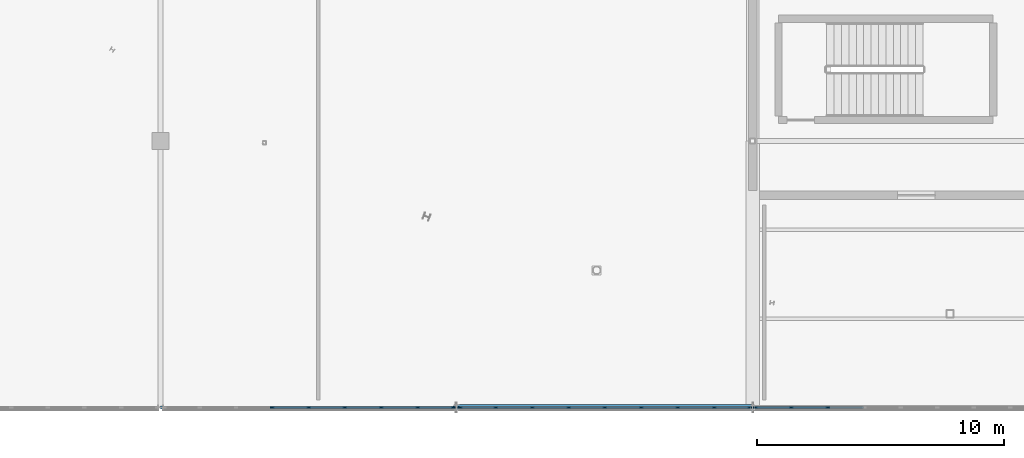
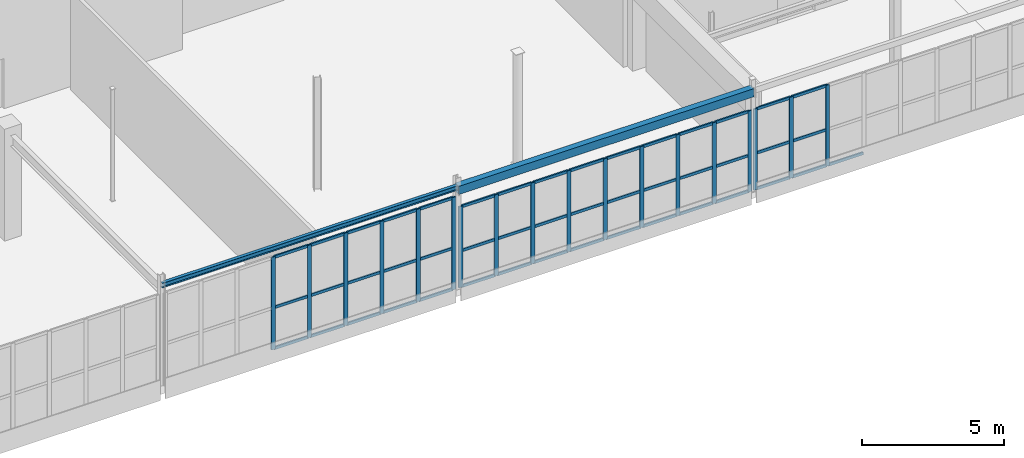
# One storey, part 77 of 226: 64 members, 2 beams, 3 elements without a shape of their own.
"""IFC4 building model written with IfcOpenShell, lengths in metres."""

from ifc_helpers import new_model, si_unit, direction, frame, origin, origin_2d, place, context, subcontext, project, spatial, rectangle, hollow_rectangle, i_section, extrude, material, layer, layer_set, material_profile, profile_set, type_object, element, aggregate, save


model = new_model("IFC4")

# Units and contexts
model_context = context("Model", 3, precision=1e-05, world=origin(), true_north=direction((0.0, 1.0)))
body_context = subcontext(model_context, "Body", "Model", "MODEL_VIEW")
ifc_project = project(units=[si_unit("LENGTHUNIT", "METRE"), si_unit("AREAUNIT", "SQUARE_METRE"), si_unit("VOLUMEUNIT", "CUBIC_METRE"), si_unit("PLANEANGLEUNIT", "RADIAN"), si_unit("MASSUNIT", "GRAM", prefix="KILO")], contexts=[model_context])

# Site, building, storey
site_placement = place(None, origin())
site = spatial("IfcSite", under=ifc_project, at=site_placement, CompositionType="ELEMENT")
building_placement = place(site_placement, origin())
building = spatial("IfcBuilding", under=site, at=building_placement, Name="Tarnwether General Hospital", CompositionType="ELEMENT")
storey_placement = place(building_placement, frame((0.0, 0.0, 4.800048828125)))
storey = spatial("IfcBuildingStorey", under=building, at=storey_placement, Name="L01", CompositionType="ELEMENT", Elevation=4.800048828125)

# Beams
ifc_material_1 = material(Name="Steel Grade 350 (350 MPa)", Category="steel")
ifc_material_profile_1 = material_profile(ifc_material_1, i_section(OverallWidth=0.133056640625, OverallDepth=0.201904296875, WebThickness=0.0048828125, FlangeThickness=0.007080078125, at=origin_2d()), Name="200UB22.3")
ifc_profile_set_1 = profile_set([ifc_material_profile_1], Name="Steel Grade 350 (350 MPa)")
beam_type_1 = type_object("IfcBeamType", Name="BM-SP6", PredefinedType="SPANDREL", material=ifc_profile_set_1)
beam_1_placement = place(storey_placement, frame((60.0, 0.0, 4.343994140625), z_axis=(1.0, 0.0, 0.0), x_axis=(0.0, 1.0, 0.0)))
element("IfcBeam", 1, at=beam_1_placement, inside=storey, type_object=beam_type_1, Name="Primary Girder BMG-L01-6000_0-7200_0-1118", PredefinedType="SPANDREL", context=body_context, shape_type="SweptSolid", body=[
    extrude(i_section(OverallWidth=0.133056640625, OverallDepth=0.201904296875, WebThickness=0.0048828125, FlangeThickness=0.007080078125, at=origin_2d()), origin(), (0.0, 0.0, 1.0), 12.0),
])
ifc_material_2 = material(Name="Steel Grade C350L0 (350 MPa)", Category="steel")
ifc_material_profile_2 = material_profile(ifc_material_2, hollow_rectangle(XDim=0.25, YDim=0.35009765625, WallThickness=0.012451171875, at=origin_2d()), Name="RHS350x250x12.5")
ifc_profile_set_2 = profile_set([ifc_material_profile_2], Name="Steel Grade C350L0 (350 MPa)")
beam_type_2 = type_object("IfcBeamType", Name="BM-SP7", PredefinedType="SPANDREL", material=ifc_profile_set_2)
beam_2_placement = place(storey_placement, frame((72.0, 0.0, 4.27001953125), z_axis=(1.0, 0.0, 0.0), x_axis=(0.0, 1.0, 0.0)))
element("IfcBeam", 2, at=beam_2_placement, inside=storey, type_object=beam_type_2, Name="Primary Girder BMG-L01-7200_0-8400_0-1135", PredefinedType="SPANDREL", context=body_context, shape_type="SweptSolid", body=[
    extrude(hollow_rectangle(XDim=0.25, YDim=0.35009765625, WallThickness=0.012451171875, at=origin_2d()), origin(), (0.0, 0.0, 1.0), 12.0),
])

# Curtain wall, members
ifc_material_3 = material(Name="Anodised aluminium", Category="aluminium")
ifc_layer = layer(ifc_material_3, 0.159912109375)
ifc_layer_set = layer_set([ifc_layer], Name="Anodised aluminium")
curtain_wall_type = type_object("IfcCurtainWallType", Name="CW-13", PredefinedType="NOTDEFINED", material=ifc_layer_set)
curtain_wall_1_placement = place(storey_placement, origin())
curtain_wall_1 = element("IfcCurtainWall", 3, at=curtain_wall_1_placement, inside=storey, type_object=curtain_wall_type, Name="Curtain Wall CWG-L01-959_0-0332", PredefinedType="NOTDEFINED")
ifc_material_4 = material(Name="Anodised aluminium", Category="aluminium")
ifc_material_profile_3 = material_profile(ifc_material_4, rectangle(XDim=0.06005859375, YDim=0.159912109375, at=origin_2d()), Name="ALU-MUL-60x160")
ifc_profile_set_3 = profile_set([ifc_material_profile_3], Name="Anodised aluminium")
member_type_1 = type_object("IfcMemberType", Name="CW-ML1", PredefinedType="MULLION", material=ifc_profile_set_3)
member_1_placement = place(storey_placement, frame((87.04150390625, 0.0, 0.0), z_axis=(0.0, 0.0, 1.0), x_axis=(0.0, -1.0, 0.0)))
member_1 = element("IfcMember", 4, at=member_1_placement, type_object=member_type_1, Name="CW-13 mullion 7", PredefinedType="MULLION", context=body_context, shape_type="SweptSolid", body=[
    extrude(rectangle(XDim=0.06005859375, YDim=0.159912109375, at=origin_2d()), origin(), (0.0, 0.0, 1.0), 3.47998046875),
])
member_2_placement = place(storey_placement, frame((85.562255859375, 0.0, 0.0), z_axis=(0.0, 0.0, 1.0), x_axis=(0.0, -1.0, 0.0)))
member_2 = element("IfcMember", 5, at=member_2_placement, type_object=member_type_1, Name="CW-13 mullion 8", PredefinedType="MULLION", context=body_context, shape_type="SweptSolid", body=[
    extrude(rectangle(XDim=0.06005859375, YDim=0.159912109375, at=origin_2d()), origin(), (0.0, 0.0, 1.0), 3.47998046875),
])
member_3_placement = place(storey_placement, frame((84.113037109375, 0.0, 0.0), z_axis=(0.0, 0.0, 1.0), x_axis=(0.0, -1.0, 0.0)))
member_3 = element("IfcMember", 6, at=member_3_placement, type_object=member_type_1, Name="CW-13 mullion 9", PredefinedType="MULLION", context=body_context, shape_type="SweptSolid", body=[
    extrude(rectangle(XDim=0.06005859375, YDim=0.159912109375, at=origin_2d()), origin(), (0.0, 0.0, 1.0), 3.47998046875),
])

curtain_wall_2_placement = place(storey_placement, origin())
curtain_wall_2 = element("IfcCurtainWall", 7, at=curtain_wall_2_placement, inside=storey, type_object=curtain_wall_type, Name="Curtain Wall CWG-L01-839_0-0333", PredefinedType="NOTDEFINED")
member_4_placement = place(storey_placement, frame((83.886962890625, 0.0, 0.0), z_axis=(0.0, 0.0, 1.0), x_axis=(0.0, -1.0, 0.0)))
member_4 = element("IfcMember", 8, at=member_4_placement, type_object=member_type_1, Name="CW-13 mullion 1", PredefinedType="MULLION", context=body_context, shape_type="SweptSolid", body=[
    extrude(rectangle(XDim=0.06005859375, YDim=0.159912109375, at=origin_2d()), origin(), (0.0, 0.0, 1.0), 3.47998046875),
])
member_5_placement = place(storey_placement, frame((82.441162109375, 0.0, 0.0), z_axis=(0.0, 0.0, 1.0), x_axis=(0.0, -1.0, 0.0)))
member_5 = element("IfcMember", 9, at=member_5_placement, type_object=member_type_1, Name="CW-13 mullion 2", PredefinedType="MULLION", context=body_context, shape_type="SweptSolid", body=[
    extrude(rectangle(XDim=0.06005859375, YDim=0.159912109375, at=origin_2d()), origin(), (0.0, 0.0, 1.0), 3.47998046875),
])
member_6_placement = place(storey_placement, frame((80.965576171875, 0.0, 0.0), z_axis=(0.0, 0.0, 1.0), x_axis=(0.0, -1.0, 0.0)))
member_6 = element("IfcMember", 10, at=member_6_placement, type_object=member_type_1, Name="CW-13 mullion 3", PredefinedType="MULLION", context=body_context, shape_type="SweptSolid", body=[
    extrude(rectangle(XDim=0.06005859375, YDim=0.159912109375, at=origin_2d()), origin(), (0.0, 0.0, 1.0), 3.47998046875),
])
member_7_placement = place(storey_placement, frame((79.48974609375, 0.0, 0.0), z_axis=(0.0, 0.0, 1.0), x_axis=(0.0, -1.0, 0.0)))
member_7 = element("IfcMember", 11, at=member_7_placement, type_object=member_type_1, Name="CW-13 mullion 4", PredefinedType="MULLION", context=body_context, shape_type="SweptSolid", body=[
    extrude(rectangle(XDim=0.06005859375, YDim=0.159912109375, at=origin_2d()), origin(), (0.0, 0.0, 1.0), 3.47998046875),
])
member_8_placement = place(storey_placement, frame((78.013916015625, 0.0, 0.0), z_axis=(0.0, 0.0, 1.0), x_axis=(0.0, -1.0, 0.0)))
member_8 = element("IfcMember", 12, at=member_8_placement, type_object=member_type_1, Name="CW-13 mullion 5", PredefinedType="MULLION", context=body_context, shape_type="SweptSolid", body=[
    extrude(rectangle(XDim=0.06005859375, YDim=0.159912109375, at=origin_2d()), origin(), (0.0, 0.0, 1.0), 3.47998046875),
])
member_9_placement = place(storey_placement, frame((76.538330078125, 0.0, 0.0), z_axis=(0.0, 0.0, 1.0), x_axis=(0.0, -1.0, 0.0)))
member_9 = element("IfcMember", 13, at=member_9_placement, type_object=member_type_1, Name="CW-13 mullion 6", PredefinedType="MULLION", context=body_context, shape_type="SweptSolid", body=[
    extrude(rectangle(XDim=0.06005859375, YDim=0.159912109375, at=origin_2d()), origin(), (0.0, 0.0, 1.0), 3.47998046875),
])
member_10_placement = place(storey_placement, frame((75.0625, 0.0, 0.0), z_axis=(0.0, 0.0, 1.0), x_axis=(0.0, -1.0, 0.0)))
member_10 = element("IfcMember", 14, at=member_10_placement, type_object=member_type_1, Name="CW-13 mullion 7", PredefinedType="MULLION", context=body_context, shape_type="SweptSolid", body=[
    extrude(rectangle(XDim=0.06005859375, YDim=0.159912109375, at=origin_2d()), origin(), (0.0, 0.0, 1.0), 3.47998046875),
])
member_11_placement = place(storey_placement, frame((73.586669921875, 0.0, 0.0), z_axis=(0.0, 0.0, 1.0), x_axis=(0.0, -1.0, 0.0)))
member_11 = element("IfcMember", 15, at=member_11_placement, type_object=member_type_1, Name="CW-13 mullion 8", PredefinedType="MULLION", context=body_context, shape_type="SweptSolid", body=[
    extrude(rectangle(XDim=0.06005859375, YDim=0.159912109375, at=origin_2d()), origin(), (0.0, 0.0, 1.0), 3.47998046875),
])
member_12_placement = place(storey_placement, frame((72.14111328125, 0.0, 0.0), z_axis=(0.0, 0.0, 1.0), x_axis=(0.0, -1.0, 0.0)))
member_12 = element("IfcMember", 16, at=member_12_placement, type_object=member_type_1, Name="CW-13 mullion 9", PredefinedType="MULLION", context=body_context, shape_type="SweptSolid", body=[
    extrude(rectangle(XDim=0.06005859375, YDim=0.159912109375, at=origin_2d()), origin(), (0.0, 0.0, 1.0), 3.47998046875),
])

curtain_wall_3_placement = place(storey_placement, origin())
curtain_wall_3 = element("IfcCurtainWall", 17, at=curtain_wall_3_placement, inside=storey, type_object=curtain_wall_type, Name="Curtain Wall CWG-L01-719_0-0334", PredefinedType="NOTDEFINED")
member_13_placement = place(storey_placement, frame((71.85888671875, 0.0, 0.0), z_axis=(0.0, 0.0, 1.0), x_axis=(0.0, -1.0, 0.0)))
member_13 = element("IfcMember", 18, at=member_13_placement, type_object=member_type_1, Name="CW-13 mullion 1", PredefinedType="MULLION", context=body_context, shape_type="SweptSolid", body=[
    extrude(rectangle(XDim=0.06005859375, YDim=0.159912109375, at=origin_2d()), origin(), (0.0, 0.0, 1.0), 3.972900390625),
])
member_14_placement = place(storey_placement, frame((70.4169921875, 0.0, 0.0), z_axis=(0.0, 0.0, 1.0), x_axis=(0.0, -1.0, 0.0)))
member_14 = element("IfcMember", 19, at=member_14_placement, type_object=member_type_1, Name="CW-13 mullion 2", PredefinedType="MULLION", context=body_context, shape_type="SweptSolid", body=[
    extrude(rectangle(XDim=0.06005859375, YDim=0.159912109375, at=origin_2d()), origin(), (0.0, 0.0, 1.0), 3.972900390625),
])
member_15_placement = place(storey_placement, frame((68.945068359375, 0.0, 0.0), z_axis=(0.0, 0.0, 1.0), x_axis=(0.0, -1.0, 0.0)))
member_15 = element("IfcMember", 20, at=member_15_placement, type_object=member_type_1, Name="CW-13 mullion 3", PredefinedType="MULLION", context=body_context, shape_type="SweptSolid", body=[
    extrude(rectangle(XDim=0.06005859375, YDim=0.159912109375, at=origin_2d()), origin(), (0.0, 0.0, 1.0), 3.972900390625),
])
member_16_placement = place(storey_placement, frame((67.472900390625, 0.0, 0.0), z_axis=(0.0, 0.0, 1.0), x_axis=(0.0, -1.0, 0.0)))
member_16 = element("IfcMember", 21, at=member_16_placement, type_object=member_type_1, Name="CW-13 mullion 4", PredefinedType="MULLION", context=body_context, shape_type="SweptSolid", body=[
    extrude(rectangle(XDim=0.06005859375, YDim=0.159912109375, at=origin_2d()), origin(), (0.0, 0.0, 1.0), 3.972900390625),
])
member_17_placement = place(storey_placement, frame((66.0009765625, 0.0, 0.0), z_axis=(0.0, 0.0, 1.0), x_axis=(0.0, -1.0, 0.0)))
member_17 = element("IfcMember", 22, at=member_17_placement, type_object=member_type_1, Name="CW-13 mullion 5", PredefinedType="MULLION", context=body_context, shape_type="SweptSolid", body=[
    extrude(rectangle(XDim=0.06005859375, YDim=0.159912109375, at=origin_2d()), origin(), (0.0, 0.0, 1.0), 3.972900390625),
])
member_18_placement = place(storey_placement, frame((64.529052734375, 0.0, 0.0), z_axis=(0.0, 0.0, 1.0), x_axis=(0.0, -1.0, 0.0)))
member_18 = element("IfcMember", 23, at=member_18_placement, type_object=member_type_1, Name="CW-13 mullion 6", PredefinedType="MULLION", context=body_context, shape_type="SweptSolid", body=[
    extrude(rectangle(XDim=0.06005859375, YDim=0.159912109375, at=origin_2d()), origin(), (0.0, 0.0, 1.0), 3.972900390625),
])

# Member
ifc_material_5 = material(Name="Anodised aluminium", Category="aluminium")
ifc_material_profile_4 = material_profile(ifc_material_5, rectangle(XDim=0.06005859375, YDim=0.1201171875, at=origin_2d()), Name="ALU-TRN-60x120")
ifc_profile_set_4 = profile_set([ifc_material_profile_4], Name="Anodised aluminium")
member_type_2 = type_object("IfcMemberType", Name="CW-TR1", PredefinedType="USERDEFINED", material=ifc_profile_set_4)
member_19_placement = place(storey_placement, frame((88.49072265625, 0.0, 0.030029296875), z_axis=(-1.0, 0.0, 0.0), x_axis=(0.0, -1.0, 0.0)))
member_19 = element("IfcMember", 24, at=member_19_placement, type_object=member_type_2, Name="CW-13 transom 6.1", ObjectType="TRANSOM", PredefinedType="USERDEFINED", context=body_context, shape_type="SweptSolid", body=[
    extrude(rectangle(XDim=0.06005859375, YDim=0.1201171875, at=origin_2d()), origin(), (0.0, 0.0, 1.0), 1.419189453125),
])

member_20_placement = place(storey_placement, frame((87.011474609375, 0.0, 0.030029296875), z_axis=(-1.0, 0.0, 0.0), x_axis=(0.0, -1.0, 0.0)))
member_20 = element("IfcMember", 25, at=member_20_placement, type_object=member_type_2, Name="CW-13 transom 7.1", ObjectType="TRANSOM", PredefinedType="USERDEFINED", context=body_context, shape_type="SweptSolid", body=[
    extrude(rectangle(XDim=0.06005859375, YDim=0.1201171875, at=origin_2d()), origin(), (0.0, 0.0, 1.0), 1.419189453125),
])

member_21_placement = place(storey_placement, frame((87.011474609375, 0.0, 1.56591796875), z_axis=(-1.0, 0.0, 0.0), x_axis=(0.0, -1.0, 0.0)))
member_21 = element("IfcMember", 26, at=member_21_placement, type_object=member_type_2, Name="CW-13 transom 7.2", ObjectType="TRANSOM", PredefinedType="USERDEFINED", context=body_context, shape_type="SweptSolid", body=[
    extrude(rectangle(XDim=0.06005859375, YDim=0.1201171875, at=origin_2d()), origin(), (0.0, 0.0, 1.0), 1.419189453125),
])

member_22_placement = place(storey_placement, frame((87.011474609375, 0.0, 3.449951171875), z_axis=(-1.0, 0.0, 0.0), x_axis=(0.0, -1.0, 0.0)))
member_22 = element("IfcMember", 27, at=member_22_placement, type_object=member_type_2, Name="CW-13 transom 7.3", ObjectType="TRANSOM", PredefinedType="USERDEFINED", context=body_context, shape_type="SweptSolid", body=[
    extrude(rectangle(XDim=0.06005859375, YDim=0.1201171875, at=origin_2d()), origin(), (0.0, 0.0, 1.0), 1.419189453125),
])

member_23_placement = place(storey_placement, frame((85.5322265625, 0.0, 0.030029296875), z_axis=(-1.0, 0.0, 0.0), x_axis=(0.0, -1.0, 0.0)))
member_23 = element("IfcMember", 28, at=member_23_placement, type_object=member_type_2, Name="CW-13 transom 8.1", ObjectType="TRANSOM", PredefinedType="USERDEFINED", context=body_context, shape_type="SweptSolid", body=[
    extrude(rectangle(XDim=0.06005859375, YDim=0.1201171875, at=origin_2d()), origin(), (0.0, 0.0, 1.0), 1.38916015625),
])

member_24_placement = place(storey_placement, frame((85.5322265625, 0.0, 1.56591796875), z_axis=(-1.0, 0.0, 0.0), x_axis=(0.0, -1.0, 0.0)))
member_24 = element("IfcMember", 29, at=member_24_placement, type_object=member_type_2, Name="CW-13 transom 8.2", ObjectType="TRANSOM", PredefinedType="USERDEFINED", context=body_context, shape_type="SweptSolid", body=[
    extrude(rectangle(XDim=0.06005859375, YDim=0.1201171875, at=origin_2d()), origin(), (0.0, 0.0, 1.0), 1.38916015625),
])

member_25_placement = place(storey_placement, frame((85.5322265625, 0.0, 3.449951171875), z_axis=(-1.0, 0.0, 0.0), x_axis=(0.0, -1.0, 0.0)))
member_25 = element("IfcMember", 30, at=member_25_placement, type_object=member_type_2, Name="CW-13 transom 8.3", ObjectType="TRANSOM", PredefinedType="USERDEFINED", context=body_context, shape_type="SweptSolid", body=[
    extrude(rectangle(XDim=0.06005859375, YDim=0.1201171875, at=origin_2d()), origin(), (0.0, 0.0, 1.0), 1.38916015625),
])

aggregate(curtain_wall_1, [member_1, member_2, member_3, member_19, member_20, member_21, member_22, member_23, member_24, member_25])

member_26_placement = place(storey_placement, frame((83.85693359375, 0.0, 0.030029296875), z_axis=(-1.0, 0.0, 0.0), x_axis=(0.0, -1.0, 0.0)))
member_26 = element("IfcMember", 31, at=member_26_placement, type_object=member_type_2, Name="CW-13 transom 1.1", ObjectType="TRANSOM", PredefinedType="USERDEFINED", context=body_context, shape_type="SweptSolid", body=[
    extrude(rectangle(XDim=0.06005859375, YDim=0.1201171875, at=origin_2d()), origin(), (0.0, 0.0, 1.0), 1.3857421875),
])

member_27_placement = place(storey_placement, frame((83.85693359375, 0.0, 1.56591796875), z_axis=(-1.0, 0.0, 0.0), x_axis=(0.0, -1.0, 0.0)))
member_27 = element("IfcMember", 32, at=member_27_placement, type_object=member_type_2, Name="CW-13 transom 1.2", ObjectType="TRANSOM", PredefinedType="USERDEFINED", context=body_context, shape_type="SweptSolid", body=[
    extrude(rectangle(XDim=0.06005859375, YDim=0.1201171875, at=origin_2d()), origin(), (0.0, 0.0, 1.0), 1.3857421875),
])

member_28_placement = place(storey_placement, frame((83.85693359375, 0.0, 3.449951171875), z_axis=(-1.0, 0.0, 0.0), x_axis=(0.0, -1.0, 0.0)))
member_28 = element("IfcMember", 33, at=member_28_placement, type_object=member_type_2, Name="CW-13 transom 1.3", ObjectType="TRANSOM", PredefinedType="USERDEFINED", context=body_context, shape_type="SweptSolid", body=[
    extrude(rectangle(XDim=0.06005859375, YDim=0.1201171875, at=origin_2d()), origin(), (0.0, 0.0, 1.0), 1.3857421875),
])

member_29_placement = place(storey_placement, frame((82.4111328125, 0.0, 0.030029296875), z_axis=(-1.0, 0.0, 0.0), x_axis=(0.0, -1.0, 0.0)))
member_29 = element("IfcMember", 34, at=member_29_placement, type_object=member_type_2, Name="CW-13 transom 2.1", ObjectType="TRANSOM", PredefinedType="USERDEFINED", context=body_context, shape_type="SweptSolid", body=[
    extrude(rectangle(XDim=0.06005859375, YDim=0.1201171875, at=origin_2d()), origin(), (0.0, 0.0, 1.0), 1.41552734375),
])

member_30_placement = place(storey_placement, frame((82.4111328125, 0.0, 1.56591796875), z_axis=(-1.0, 0.0, 0.0), x_axis=(0.0, -1.0, 0.0)))
member_30 = element("IfcMember", 35, at=member_30_placement, type_object=member_type_2, Name="CW-13 transom 2.2", ObjectType="TRANSOM", PredefinedType="USERDEFINED", context=body_context, shape_type="SweptSolid", body=[
    extrude(rectangle(XDim=0.06005859375, YDim=0.1201171875, at=origin_2d()), origin(), (0.0, 0.0, 1.0), 1.41552734375),
])

member_31_placement = place(storey_placement, frame((82.4111328125, 0.0, 3.449951171875), z_axis=(-1.0, 0.0, 0.0), x_axis=(0.0, -1.0, 0.0)))
member_31 = element("IfcMember", 36, at=member_31_placement, type_object=member_type_2, Name="CW-13 transom 2.3", ObjectType="TRANSOM", PredefinedType="USERDEFINED", context=body_context, shape_type="SweptSolid", body=[
    extrude(rectangle(XDim=0.06005859375, YDim=0.1201171875, at=origin_2d()), origin(), (0.0, 0.0, 1.0), 1.41552734375),
])

member_32_placement = place(storey_placement, frame((80.935546875, 0.0, 0.030029296875), z_axis=(-1.0, 0.0, 0.0), x_axis=(0.0, -1.0, 0.0)))
member_32 = element("IfcMember", 37, at=member_32_placement, type_object=member_type_2, Name="CW-13 transom 3.1", ObjectType="TRANSOM", PredefinedType="USERDEFINED", context=body_context, shape_type="SweptSolid", body=[
    extrude(rectangle(XDim=0.06005859375, YDim=0.1201171875, at=origin_2d()), origin(), (0.0, 0.0, 1.0), 1.415771484375),
])

member_33_placement = place(storey_placement, frame((80.935546875, 0.0, 1.56591796875), z_axis=(-1.0, 0.0, 0.0), x_axis=(0.0, -1.0, 0.0)))
member_33 = element("IfcMember", 38, at=member_33_placement, type_object=member_type_2, Name="CW-13 transom 3.2", ObjectType="TRANSOM", PredefinedType="USERDEFINED", context=body_context, shape_type="SweptSolid", body=[
    extrude(rectangle(XDim=0.06005859375, YDim=0.1201171875, at=origin_2d()), origin(), (0.0, 0.0, 1.0), 1.415771484375),
])

member_34_placement = place(storey_placement, frame((80.935546875, 0.0, 3.449951171875), z_axis=(-1.0, 0.0, 0.0), x_axis=(0.0, -1.0, 0.0)))
member_34 = element("IfcMember", 39, at=member_34_placement, type_object=member_type_2, Name="CW-13 transom 3.3", ObjectType="TRANSOM", PredefinedType="USERDEFINED", context=body_context, shape_type="SweptSolid", body=[
    extrude(rectangle(XDim=0.06005859375, YDim=0.1201171875, at=origin_2d()), origin(), (0.0, 0.0, 1.0), 1.415771484375),
])

member_35_placement = place(storey_placement, frame((79.459716796875, 0.0, 0.030029296875), z_axis=(-1.0, 0.0, 0.0), x_axis=(0.0, -1.0, 0.0)))
member_35 = element("IfcMember", 40, at=member_35_placement, type_object=member_type_2, Name="CW-13 transom 4.1", ObjectType="TRANSOM", PredefinedType="USERDEFINED", context=body_context, shape_type="SweptSolid", body=[
    extrude(rectangle(XDim=0.06005859375, YDim=0.1201171875, at=origin_2d()), origin(), (0.0, 0.0, 1.0), 1.415771484375),
])

member_36_placement = place(storey_placement, frame((79.459716796875, 0.0, 1.56591796875), z_axis=(-1.0, 0.0, 0.0), x_axis=(0.0, -1.0, 0.0)))
member_36 = element("IfcMember", 41, at=member_36_placement, type_object=member_type_2, Name="CW-13 transom 4.2", ObjectType="TRANSOM", PredefinedType="USERDEFINED", context=body_context, shape_type="SweptSolid", body=[
    extrude(rectangle(XDim=0.06005859375, YDim=0.1201171875, at=origin_2d()), origin(), (0.0, 0.0, 1.0), 1.415771484375),
])

member_37_placement = place(storey_placement, frame((79.459716796875, 0.0, 3.449951171875), z_axis=(-1.0, 0.0, 0.0), x_axis=(0.0, -1.0, 0.0)))
member_37 = element("IfcMember", 42, at=member_37_placement, type_object=member_type_2, Name="CW-13 transom 4.3", ObjectType="TRANSOM", PredefinedType="USERDEFINED", context=body_context, shape_type="SweptSolid", body=[
    extrude(rectangle(XDim=0.06005859375, YDim=0.1201171875, at=origin_2d()), origin(), (0.0, 0.0, 1.0), 1.415771484375),
])

member_38_placement = place(storey_placement, frame((77.98388671875, 0.0, 0.030029296875), z_axis=(-1.0, 0.0, 0.0), x_axis=(0.0, -1.0, 0.0)))
member_38 = element("IfcMember", 43, at=member_38_placement, type_object=member_type_2, Name="CW-13 transom 5.1", ObjectType="TRANSOM", PredefinedType="USERDEFINED", context=body_context, shape_type="SweptSolid", body=[
    extrude(rectangle(XDim=0.06005859375, YDim=0.1201171875, at=origin_2d()), origin(), (0.0, 0.0, 1.0), 1.41552734375),
])

member_39_placement = place(storey_placement, frame((77.98388671875, 0.0, 1.56591796875), z_axis=(-1.0, 0.0, 0.0), x_axis=(0.0, -1.0, 0.0)))
member_39 = element("IfcMember", 44, at=member_39_placement, type_object=member_type_2, Name="CW-13 transom 5.2", ObjectType="TRANSOM", PredefinedType="USERDEFINED", context=body_context, shape_type="SweptSolid", body=[
    extrude(rectangle(XDim=0.06005859375, YDim=0.1201171875, at=origin_2d()), origin(), (0.0, 0.0, 1.0), 1.41552734375),
])

member_40_placement = place(storey_placement, frame((77.98388671875, 0.0, 3.449951171875), z_axis=(-1.0, 0.0, 0.0), x_axis=(0.0, -1.0, 0.0)))
member_40 = element("IfcMember", 45, at=member_40_placement, type_object=member_type_2, Name="CW-13 transom 5.3", ObjectType="TRANSOM", PredefinedType="USERDEFINED", context=body_context, shape_type="SweptSolid", body=[
    extrude(rectangle(XDim=0.06005859375, YDim=0.1201171875, at=origin_2d()), origin(), (0.0, 0.0, 1.0), 1.41552734375),
])

member_41_placement = place(storey_placement, frame((76.50830078125, 0.0, 0.030029296875), z_axis=(-1.0, 0.0, 0.0), x_axis=(0.0, -1.0, 0.0)))
member_41 = element("IfcMember", 46, at=member_41_placement, type_object=member_type_2, Name="CW-13 transom 6.1", ObjectType="TRANSOM", PredefinedType="USERDEFINED", context=body_context, shape_type="SweptSolid", body=[
    extrude(rectangle(XDim=0.06005859375, YDim=0.1201171875, at=origin_2d()), origin(), (0.0, 0.0, 1.0), 1.415771484375),
])

member_42_placement = place(storey_placement, frame((76.50830078125, 0.0, 1.56591796875), z_axis=(-1.0, 0.0, 0.0), x_axis=(0.0, -1.0, 0.0)))
member_42 = element("IfcMember", 47, at=member_42_placement, type_object=member_type_2, Name="CW-13 transom 6.2", ObjectType="TRANSOM", PredefinedType="USERDEFINED", context=body_context, shape_type="SweptSolid", body=[
    extrude(rectangle(XDim=0.06005859375, YDim=0.1201171875, at=origin_2d()), origin(), (0.0, 0.0, 1.0), 1.415771484375),
])

member_43_placement = place(storey_placement, frame((76.50830078125, 0.0, 3.449951171875), z_axis=(-1.0, 0.0, 0.0), x_axis=(0.0, -1.0, 0.0)))
member_43 = element("IfcMember", 48, at=member_43_placement, type_object=member_type_2, Name="CW-13 transom 6.3", ObjectType="TRANSOM", PredefinedType="USERDEFINED", context=body_context, shape_type="SweptSolid", body=[
    extrude(rectangle(XDim=0.06005859375, YDim=0.1201171875, at=origin_2d()), origin(), (0.0, 0.0, 1.0), 1.415771484375),
])

member_44_placement = place(storey_placement, frame((75.032470703125, 0.0, 0.030029296875), z_axis=(-1.0, 0.0, 0.0), x_axis=(0.0, -1.0, 0.0)))
member_44 = element("IfcMember", 49, at=member_44_placement, type_object=member_type_2, Name="CW-13 transom 7.1", ObjectType="TRANSOM", PredefinedType="USERDEFINED", context=body_context, shape_type="SweptSolid", body=[
    extrude(rectangle(XDim=0.06005859375, YDim=0.1201171875, at=origin_2d()), origin(), (0.0, 0.0, 1.0), 1.415771484375),
])

member_45_placement = place(storey_placement, frame((75.032470703125, 0.0, 1.56591796875), z_axis=(-1.0, 0.0, 0.0), x_axis=(0.0, -1.0, 0.0)))
member_45 = element("IfcMember", 50, at=member_45_placement, type_object=member_type_2, Name="CW-13 transom 7.2", ObjectType="TRANSOM", PredefinedType="USERDEFINED", context=body_context, shape_type="SweptSolid", body=[
    extrude(rectangle(XDim=0.06005859375, YDim=0.1201171875, at=origin_2d()), origin(), (0.0, 0.0, 1.0), 1.415771484375),
])

member_46_placement = place(storey_placement, frame((75.032470703125, 0.0, 3.449951171875), z_axis=(-1.0, 0.0, 0.0), x_axis=(0.0, -1.0, 0.0)))
member_46 = element("IfcMember", 51, at=member_46_placement, type_object=member_type_2, Name="CW-13 transom 7.3", ObjectType="TRANSOM", PredefinedType="USERDEFINED", context=body_context, shape_type="SweptSolid", body=[
    extrude(rectangle(XDim=0.06005859375, YDim=0.1201171875, at=origin_2d()), origin(), (0.0, 0.0, 1.0), 1.415771484375),
])

member_47_placement = place(storey_placement, frame((73.556640625, 0.0, 0.030029296875), z_axis=(-1.0, 0.0, 0.0), x_axis=(0.0, -1.0, 0.0)))
member_47 = element("IfcMember", 52, at=member_47_placement, type_object=member_type_2, Name="CW-13 transom 8.1", ObjectType="TRANSOM", PredefinedType="USERDEFINED", context=body_context, shape_type="SweptSolid", body=[
    extrude(rectangle(XDim=0.06005859375, YDim=0.1201171875, at=origin_2d()), origin(), (0.0, 0.0, 1.0), 1.3857421875),
])

member_48_placement = place(storey_placement, frame((73.556640625, 0.0, 1.56591796875), z_axis=(-1.0, 0.0, 0.0), x_axis=(0.0, -1.0, 0.0)))
member_48 = element("IfcMember", 53, at=member_48_placement, type_object=member_type_2, Name="CW-13 transom 8.2", ObjectType="TRANSOM", PredefinedType="USERDEFINED", context=body_context, shape_type="SweptSolid", body=[
    extrude(rectangle(XDim=0.06005859375, YDim=0.1201171875, at=origin_2d()), origin(), (0.0, 0.0, 1.0), 1.3857421875),
])

member_49_placement = place(storey_placement, frame((73.556640625, 0.0, 3.449951171875), z_axis=(-1.0, 0.0, 0.0), x_axis=(0.0, -1.0, 0.0)))
member_49 = element("IfcMember", 54, at=member_49_placement, type_object=member_type_2, Name="CW-13 transom 8.3", ObjectType="TRANSOM", PredefinedType="USERDEFINED", context=body_context, shape_type="SweptSolid", body=[
    extrude(rectangle(XDim=0.06005859375, YDim=0.1201171875, at=origin_2d()), origin(), (0.0, 0.0, 1.0), 1.3857421875),
])

aggregate(curtain_wall_2, [member_4, member_5, member_6, member_7, member_8, member_9, member_10, member_11, member_12, member_26, member_27, member_28, member_29, member_30, member_31, member_32, member_33, member_34, member_35, member_36, member_37, member_38, member_39, member_40, member_41, member_42, member_43, member_44, member_45, member_46, member_47, member_48, member_49])

member_50_placement = place(storey_placement, frame((71.8291015625, 0.0, 0.030029296875), z_axis=(-1.0, 0.0, 0.0), x_axis=(0.0, -1.0, 0.0)))
member_50 = element("IfcMember", 55, at=member_50_placement, type_object=member_type_2, Name="CW-13 transom 1.1", ObjectType="TRANSOM", PredefinedType="USERDEFINED", context=body_context, shape_type="SweptSolid", body=[
    extrude(rectangle(XDim=0.06005859375, YDim=0.1201171875, at=origin_2d()), origin(), (0.0, 0.0, 1.0), 1.382080078125),
])

member_51_placement = place(storey_placement, frame((71.8291015625, 0.0, 1.787841796875), z_axis=(-1.0, 0.0, 0.0), x_axis=(0.0, -1.0, 0.0)))
member_51 = element("IfcMember", 56, at=member_51_placement, type_object=member_type_2, Name="CW-13 transom 1.2", ObjectType="TRANSOM", PredefinedType="USERDEFINED", context=body_context, shape_type="SweptSolid", body=[
    extrude(rectangle(XDim=0.06005859375, YDim=0.1201171875, at=origin_2d()), origin(), (0.0, 0.0, 1.0), 1.382080078125),
])

member_52_placement = place(storey_placement, frame((71.8291015625, 0.0, 3.94287109375), z_axis=(-1.0, 0.0, 0.0), x_axis=(0.0, -1.0, 0.0)))
member_52 = element("IfcMember", 57, at=member_52_placement, type_object=member_type_2, Name="CW-13 transom 1.3", ObjectType="TRANSOM", PredefinedType="USERDEFINED", context=body_context, shape_type="SweptSolid", body=[
    extrude(rectangle(XDim=0.06005859375, YDim=0.1201171875, at=origin_2d()), origin(), (0.0, 0.0, 1.0), 1.382080078125),
])

member_53_placement = place(storey_placement, frame((70.386962890625, 0.0, 0.030029296875), z_axis=(-1.0, 0.0, 0.0), x_axis=(0.0, -1.0, 0.0)))
member_53 = element("IfcMember", 58, at=member_53_placement, type_object=member_type_2, Name="CW-13 transom 2.1", ObjectType="TRANSOM", PredefinedType="USERDEFINED", context=body_context, shape_type="SweptSolid", body=[
    extrude(rectangle(XDim=0.06005859375, YDim=0.1201171875, at=origin_2d()), origin(), (0.0, 0.0, 1.0), 1.411865234375),
])

member_54_placement = place(storey_placement, frame((70.386962890625, 0.0, 1.787841796875), z_axis=(-1.0, 0.0, 0.0), x_axis=(0.0, -1.0, 0.0)))
member_54 = element("IfcMember", 59, at=member_54_placement, type_object=member_type_2, Name="CW-13 transom 2.2", ObjectType="TRANSOM", PredefinedType="USERDEFINED", context=body_context, shape_type="SweptSolid", body=[
    extrude(rectangle(XDim=0.06005859375, YDim=0.1201171875, at=origin_2d()), origin(), (0.0, 0.0, 1.0), 1.411865234375),
])

member_55_placement = place(storey_placement, frame((70.386962890625, 0.0, 3.94287109375), z_axis=(-1.0, 0.0, 0.0), x_axis=(0.0, -1.0, 0.0)))
member_55 = element("IfcMember", 60, at=member_55_placement, type_object=member_type_2, Name="CW-13 transom 2.3", ObjectType="TRANSOM", PredefinedType="USERDEFINED", context=body_context, shape_type="SweptSolid", body=[
    extrude(rectangle(XDim=0.06005859375, YDim=0.1201171875, at=origin_2d()), origin(), (0.0, 0.0, 1.0), 1.411865234375),
])

member_56_placement = place(storey_placement, frame((68.9150390625, 0.0, 0.030029296875), z_axis=(-1.0, 0.0, 0.0), x_axis=(0.0, -1.0, 0.0)))
member_56 = element("IfcMember", 61, at=member_56_placement, type_object=member_type_2, Name="CW-13 transom 3.1", ObjectType="TRANSOM", PredefinedType="USERDEFINED", context=body_context, shape_type="SweptSolid", body=[
    extrude(rectangle(XDim=0.06005859375, YDim=0.1201171875, at=origin_2d()), origin(), (0.0, 0.0, 1.0), 1.412109375),
])

member_57_placement = place(storey_placement, frame((68.9150390625, 0.0, 1.787841796875), z_axis=(-1.0, 0.0, 0.0), x_axis=(0.0, -1.0, 0.0)))
member_57 = element("IfcMember", 62, at=member_57_placement, type_object=member_type_2, Name="CW-13 transom 3.2", ObjectType="TRANSOM", PredefinedType="USERDEFINED", context=body_context, shape_type="SweptSolid", body=[
    extrude(rectangle(XDim=0.06005859375, YDim=0.1201171875, at=origin_2d()), origin(), (0.0, 0.0, 1.0), 1.412109375),
])

member_58_placement = place(storey_placement, frame((68.9150390625, 0.0, 3.94287109375), z_axis=(-1.0, 0.0, 0.0), x_axis=(0.0, -1.0, 0.0)))
member_58 = element("IfcMember", 63, at=member_58_placement, type_object=member_type_2, Name="CW-13 transom 3.3", ObjectType="TRANSOM", PredefinedType="USERDEFINED", context=body_context, shape_type="SweptSolid", body=[
    extrude(rectangle(XDim=0.06005859375, YDim=0.1201171875, at=origin_2d()), origin(), (0.0, 0.0, 1.0), 1.412109375),
])

member_59_placement = place(storey_placement, frame((67.443115234375, 0.0, 0.030029296875), z_axis=(-1.0, 0.0, 0.0), x_axis=(0.0, -1.0, 0.0)))
member_59 = element("IfcMember", 64, at=member_59_placement, type_object=member_type_2, Name="CW-13 transom 4.1", ObjectType="TRANSOM", PredefinedType="USERDEFINED", context=body_context, shape_type="SweptSolid", body=[
    extrude(rectangle(XDim=0.06005859375, YDim=0.1201171875, at=origin_2d()), origin(), (0.0, 0.0, 1.0), 1.412109375),
])

member_60_placement = place(storey_placement, frame((67.443115234375, 0.0, 1.787841796875), z_axis=(-1.0, 0.0, 0.0), x_axis=(0.0, -1.0, 0.0)))
member_60 = element("IfcMember", 65, at=member_60_placement, type_object=member_type_2, Name="CW-13 transom 4.2", ObjectType="TRANSOM", PredefinedType="USERDEFINED", context=body_context, shape_type="SweptSolid", body=[
    extrude(rectangle(XDim=0.06005859375, YDim=0.1201171875, at=origin_2d()), origin(), (0.0, 0.0, 1.0), 1.412109375),
])

member_61_placement = place(storey_placement, frame((67.443115234375, 0.0, 3.94287109375), z_axis=(-1.0, 0.0, 0.0), x_axis=(0.0, -1.0, 0.0)))
member_61 = element("IfcMember", 66, at=member_61_placement, type_object=member_type_2, Name="CW-13 transom 4.3", ObjectType="TRANSOM", PredefinedType="USERDEFINED", context=body_context, shape_type="SweptSolid", body=[
    extrude(rectangle(XDim=0.06005859375, YDim=0.1201171875, at=origin_2d()), origin(), (0.0, 0.0, 1.0), 1.412109375),
])

member_62_placement = place(storey_placement, frame((65.970947265625, 0.0, 0.030029296875), z_axis=(-1.0, 0.0, 0.0), x_axis=(0.0, -1.0, 0.0)))
member_62 = element("IfcMember", 67, at=member_62_placement, type_object=member_type_2, Name="CW-13 transom 5.1", ObjectType="TRANSOM", PredefinedType="USERDEFINED", context=body_context, shape_type="SweptSolid", body=[
    extrude(rectangle(XDim=0.06005859375, YDim=0.1201171875, at=origin_2d()), origin(), (0.0, 0.0, 1.0), 1.411865234375),
])

member_63_placement = place(storey_placement, frame((65.970947265625, 0.0, 1.787841796875), z_axis=(-1.0, 0.0, 0.0), x_axis=(0.0, -1.0, 0.0)))
member_63 = element("IfcMember", 68, at=member_63_placement, type_object=member_type_2, Name="CW-13 transom 5.2", ObjectType="TRANSOM", PredefinedType="USERDEFINED", context=body_context, shape_type="SweptSolid", body=[
    extrude(rectangle(XDim=0.06005859375, YDim=0.1201171875, at=origin_2d()), origin(), (0.0, 0.0, 1.0), 1.411865234375),
])

member_64_placement = place(storey_placement, frame((65.970947265625, 0.0, 3.94287109375), z_axis=(-1.0, 0.0, 0.0), x_axis=(0.0, -1.0, 0.0)))
member_64 = element("IfcMember", 69, at=member_64_placement, type_object=member_type_2, Name="CW-13 transom 5.3", ObjectType="TRANSOM", PredefinedType="USERDEFINED", context=body_context, shape_type="SweptSolid", body=[
    extrude(rectangle(XDim=0.06005859375, YDim=0.1201171875, at=origin_2d()), origin(), (0.0, 0.0, 1.0), 1.411865234375),
])

aggregate(curtain_wall_3, [member_13, member_14, member_15, member_16, member_17, member_18, member_50, member_51, member_52, member_53, member_54, member_55, member_56, member_57, member_58, member_59, member_60, member_61, member_62, member_63, member_64])

save(model, "model.ifc")
